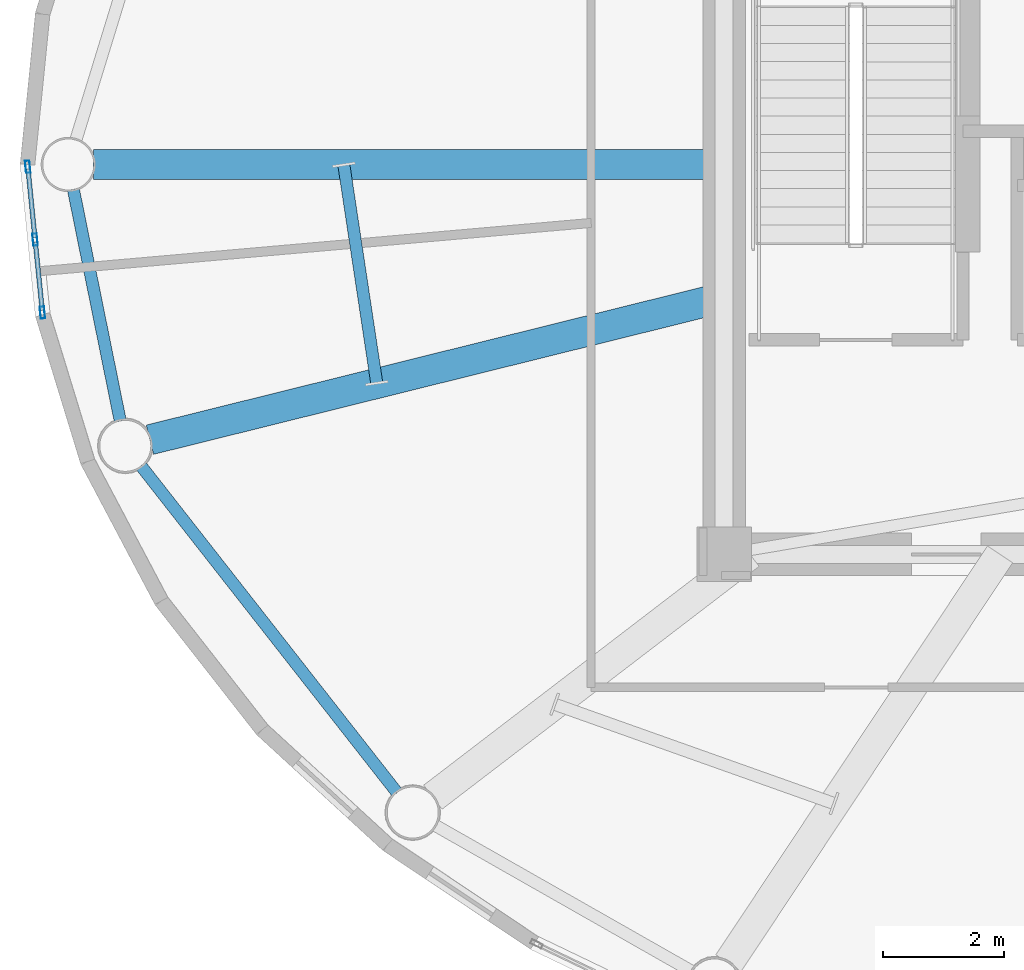
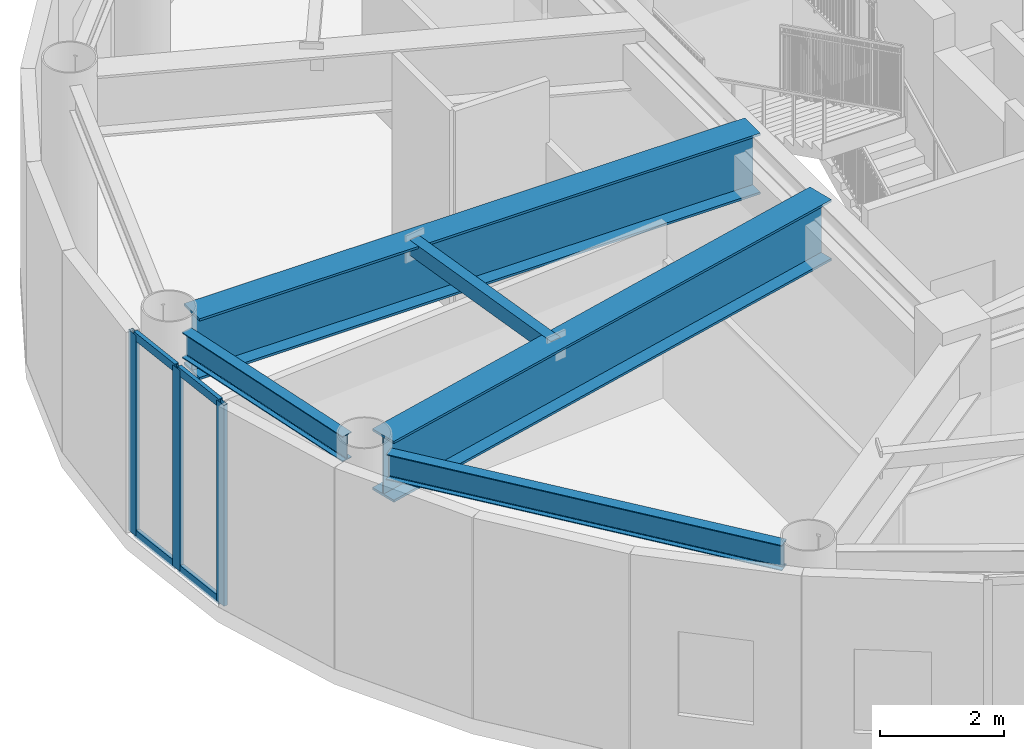
# One storey, part 4 of 26: 7 members, 5 beams, 1 element without a shape of its own.
"""IFC4 building model written with IfcOpenShell, lengths in metres."""

from ifc_helpers import new_model, si_unit, direction, frame, origin, origin_2d, place, context, subcontext, project, spatial, hollow_rectangle, i_section, extrude, source, transform, mapped, material, layer, layer_set, material_profile, profile_set, type_object, element, aggregate, save


model = new_model("IFC4")

# Units and contexts
model_context = context("Model", 3, precision=1e-05, world=origin(), true_north=direction((0.0, 1.0)))
body_context = subcontext(model_context, "Body", "Model", "MODEL_VIEW")
ifc_project = project(units=[si_unit("LENGTHUNIT", "METRE"), si_unit("AREAUNIT", "SQUARE_METRE"), si_unit("VOLUMEUNIT", "CUBIC_METRE"), si_unit("PLANEANGLEUNIT", "RADIAN"), si_unit("MASSUNIT", "GRAM", prefix="KILO")], contexts=[model_context])

# Site, building, storey
site_placement = place(None, origin())
site = spatial("IfcSite", under=ifc_project, at=site_placement, CompositionType="ELEMENT")
building_placement = place(site_placement, origin())
building = spatial("IfcBuilding", under=site, at=building_placement, Name="Linh Dai School and Residence Tower", CompositionType="ELEMENT")
storey_placement = place(building_placement, frame((0.0, 0.0, 351.0)))
storey = spatial("IfcBuildingStorey", under=building, at=storey_placement, Name="L87", CompositionType="ELEMENT", Elevation=351.0)

# Beams
ifc_material_1 = material(Name="Structural Steel S355JR", Category="steel")
ifc_material_profile_1 = material_profile(ifc_material_1, hollow_rectangle(XDim=0.199951171875, YDim=0.300048828125, WallThickness=0.010009765625, at=origin_2d()), Name="RHS 300x200x10")
ifc_profile_set_1 = profile_set([ifc_material_profile_1], Name="Structural Steel S355JR")
beam_type_1 = type_object("IfcBeamType", Name="BM-BX3", PredefinedType="BEAM", material=ifc_profile_set_1)
beam_1_placement = place(storey_placement, frame((20.857666015625, 26.9951171875, 3.800048828125), z_axis=(0.149229268392, -0.988802622092, 0.0), x_axis=(0.988802622092, 0.149229268392, 0.0)))
element("IfcBeam", 1, at=beam_1_placement, inside=storey, type_object=beam_type_1, Name="L87 Secondary Circumferential Floor Beam 05", PredefinedType="BEAM", context=body_context, shape_type="SweptSolid", body=[
    extrude(hollow_rectangle(XDim=0.199951171875, YDim=0.300048828125, WallThickness=0.010009765625, at=origin_2d()), origin(), (0.0, 0.0, 1.0), 3.6533203125),
])
ifc_material_profile_2 = material_profile(ifc_material_1, i_section(OverallWidth=0.199951171875, OverallDepth=0.5, WebThickness=0.01025390625, FlangeThickness=0.01611328125, FilletRadius=0.02099609375, at=origin_2d()), Name="IPE 500")
ifc_profile_set_2 = profile_set([ifc_material_profile_2], Name="Structural Steel S355JR")
beam_type_2 = type_object("IfcBeamType", Name="BM-RB50", PredefinedType="BEAM", material=ifc_profile_set_2)
beam_2_placement = place(storey_placement, frame((16.38330078125, 26.58837890625, 3.699951171875), z_axis=(0.198409502721, -0.980119211744, 0.0), x_axis=(0.980119211744, 0.198409502721, 0.0)))
element("IfcBeam", 2, at=beam_2_placement, inside=storey, type_object=beam_type_2, Name="L87 Perimeter Elliptical Ring Beam 09", PredefinedType="BEAM", context=body_context, shape_type="SweptSolid", body=[
    extrude(i_section(OverallWidth=0.199951171875, OverallDepth=0.5, WebThickness=0.01025390625, FlangeThickness=0.01611328125, FilletRadius=0.02099609375, at=origin_2d()), origin(), (0.0, 0.0, 1.0), 3.9091796875),
])
beam_3_placement = place(storey_placement, frame((17.501220703125, 22.0146484375, 3.699951171875), z_axis=(0.616844770958, -0.787084829318, 0.0), x_axis=(0.787084829318, 0.616844770958, 0.0)))
element("IfcBeam", 3, at=beam_3_placement, inside=storey, type_object=beam_type_2, Name="L87 Perimeter Elliptical Ring Beam 10", PredefinedType="BEAM", context=body_context, shape_type="SweptSolid", body=[
    extrude(i_section(OverallWidth=0.199951171875, OverallDepth=0.5, WebThickness=0.01025390625, FlangeThickness=0.01611328125, FilletRadius=0.02099609375, at=origin_2d()), origin(), (0.0, 0.0, 1.0), 6.869384765625),
])
ifc_material_profile_3 = material_profile(ifc_material_1, i_section(OverallWidth=0.5, OverallDepth=1.199951171875, WebThickness=0.02392578125, FlangeThickness=0.044921875, at=origin_2d()), Name="PG 1200x500x24x45")
ifc_profile_set_3 = profile_set([ifc_material_profile_3], Name="Structural Steel S355JR")
beam_type_3 = type_object("IfcBeamType", Name="BM-TG12", PredefinedType="BEAM", material=ifc_profile_set_3)
beam_4_placement = place(storey_placement, frame((27.14990234375, 27.0, 3.35009765625), z_axis=(-1.0, 0.0, 0.0), x_axis=(0.0, -1.0, 0.0)))
element("IfcBeam", 4, at=beam_4_placement, inside=storey, type_object=beam_type_3, Name="L87 Primary Radial Floor Girder 09", PredefinedType="BEAM", context=body_context, shape_type="SweptSolid", body=[
    extrude(i_section(OverallWidth=0.5, OverallDepth=1.199951171875, WebThickness=0.02392578125, FlangeThickness=0.044921875, at=origin_2d()), origin(), (0.0, 0.0, 1.0), 10.429931640625),
])
beam_5_placement = place(storey_placement, frame((27.14990234375, 24.803955078125, 3.35009765625), z_axis=(-0.970563583495, -0.24084503398, 0.0), x_axis=(0.24084503398, -0.970563583495, 0.0)))
element("IfcBeam", 5, at=beam_5_placement, inside=storey, type_object=beam_type_3, Name="L87 Primary Radial Floor Girder 10", PredefinedType="BEAM", context=body_context, shape_type="SweptSolid", body=[
    extrude(i_section(OverallWidth=0.5, OverallDepth=1.199951171875, WebThickness=0.02392578125, FlangeThickness=0.044921875, at=origin_2d()), origin(), (0.0, 0.0, 1.0), 9.7880859375),
])

# Curtain wall, members
ifc_material_2 = material(Name="Aluminium Anodised Curtain Wall", Category="aluminium")
ifc_layer = layer(ifc_material_2, 0.199951171875)
ifc_layer_set = layer_set([ifc_layer], Name="Aluminium Anodised Curtain Wall")
curtain_wall_type = type_object("IfcCurtainWallType", Name="CW-SYS-6", PredefinedType="USERDEFINED", material=ifc_layer_set)
curtain_wall_placement = place(storey_placement, origin())
curtain_wall = element("IfcCurtainWall", 6, at=curtain_wall_placement, inside=storey, type_object=curtain_wall_type, Name="L87 CW6 Curtain Wall 21", ObjectType="UNITISED CURTAIN WALL", PredefinedType="USERDEFINED")
ifc_material_3 = material(Name="Aluminium Alloy 6063-T6", Category="aluminium")
ifc_material_profile_4 = material_profile(ifc_material_3, hollow_rectangle(XDim=0.074951171875, YDim=0.159912109375, WallThickness=0.00390625, at=origin_2d()), Name="RHS 160x75x4")
ifc_profile_set_4 = profile_set([ifc_material_profile_4], Name="Aluminium Alloy 6063-T6")
member_type_1 = type_object("IfcMemberType", Name="CW-SYS-6-TRN", PredefinedType="USERDEFINED", material=ifc_profile_set_4)
shared_shape_1 = source(origin(), body_context, "Body", "SweptSolid", [
    extrude(hollow_rectangle(XDim=0.074951171875, YDim=0.159912109375, WallThickness=0.00390625, at=origin_2d()), origin(), (0.0, 0.0, 1.0), 1.136962890625),
])
member_1_placement = place(storey_placement, frame((15.867431640625, 24.587890625, 0.03759765625), z_axis=(-0.100056431161, 0.994981763945, 0.0), x_axis=(-0.994981763945, -0.100056431161, 0.0)))
member_1 = element("IfcMember", 7, at=member_1_placement, type_object=member_type_1, Name="CW6 transom 1.1", ObjectType="TRANSOM", PredefinedType="USERDEFINED", context=body_context, shape_type="MappedRepresentation", body=[
    mapped(shared_shape_1, transform((0.0, 0.0, 0.0), x_axis=(1.0, 0.0, 0.0), y_axis=(0.0, 1.0, 0.0), z_axis=(0.0, 0.0, 1.0), scale=1.0)),
])
member_2_placement = place(storey_placement, frame((15.867431640625, 24.587890625, 3.91259765625), z_axis=(-0.100056431161, 0.994981763945, 0.0), x_axis=(-0.994981763945, -0.100056431161, 0.0)))
member_2 = element("IfcMember", 8, at=member_2_placement, type_object=member_type_1, Name="CW6 transom 1.2", ObjectType="TRANSOM", PredefinedType="USERDEFINED", context=body_context, shape_type="MappedRepresentation", body=[
    mapped(shared_shape_1, transform((0.0, 0.0, 0.0), x_axis=(1.0, 0.0, 0.0), y_axis=(0.0, 1.0, 0.0), z_axis=(0.0, 0.0, 1.0), scale=1.0)),
])
member_3_placement = place(storey_placement, frame((15.74609375, 25.7939453125, 0.03759765625), z_axis=(-0.099843860502, 0.995003117342, 0.0), x_axis=(-0.995003117342, -0.099843860502, 0.0)))
member_3 = element("IfcMember", 9, at=member_3_placement, type_object=member_type_1, Name="CW6 transom 2.1", ObjectType="TRANSOM", PredefinedType="USERDEFINED", context=body_context, shape_type="MappedRepresentation", body=[
    mapped(shared_shape_1, transform((0.0, 0.0, 0.0), x_axis=(1.0, 0.0, 0.0), y_axis=(0.0, 1.0, 0.0), z_axis=(0.0, 0.0, 1.0), scale=1.0)),
])
member_4_placement = place(storey_placement, frame((15.74609375, 25.7939453125, 3.91259765625), z_axis=(-0.099843860502, 0.995003117342, 0.0), x_axis=(-0.995003117342, -0.099843860502, 0.0)))
member_4 = element("IfcMember", 10, at=member_4_placement, type_object=member_type_1, Name="CW6 transom 2.2", ObjectType="TRANSOM", PredefinedType="USERDEFINED", context=body_context, shape_type="MappedRepresentation", body=[
    mapped(shared_shape_1, transform((0.0, 0.0, 0.0), x_axis=(1.0, 0.0, 0.0), y_axis=(0.0, 1.0, 0.0), z_axis=(0.0, 0.0, 1.0), scale=1.0)),
])
ifc_material_profile_5 = material_profile(ifc_material_3, hollow_rectangle(XDim=0.074951171875, YDim=0.199951171875, WallThickness=0.00390625, at=origin_2d()), Name="RHS 200x75x4")
ifc_profile_set_5 = profile_set([ifc_material_profile_5], Name="Aluminium Alloy 6063-T6")
member_type_2 = type_object("IfcMemberType", Name="CW-SYS-6-MUL", PredefinedType="MULLION", material=ifc_profile_set_5)
shared_shape_2 = source(origin(), body_context, "Body", "SweptSolid", [
    extrude(hollow_rectangle(XDim=0.074951171875, YDim=0.199951171875, WallThickness=0.00390625, at=origin_2d()), origin(), (0.0, 0.0, 1.0), 3.949951171875),
])
member_5_placement = place(storey_placement, frame((15.87109375, 24.550537109375, 0.0), z_axis=(0.0, 0.0, 1.0), x_axis=(-0.994988264886, -0.099991763355, 0.0)))
member_5 = element("IfcMember", 11, at=member_5_placement, type_object=member_type_2, Name="CW6 mullion 1", PredefinedType="MULLION", context=body_context, shape_type="MappedRepresentation", body=[
    mapped(shared_shape_2, transform((0.0, 0.0, 0.0), x_axis=(1.0, 0.0, 0.0), y_axis=(0.0, 1.0, 0.0), z_axis=(0.0, 0.0, 1.0), scale=1.0)),
])
member_6_placement = place(storey_placement, frame((15.75, 25.756591796875, 0.0), z_axis=(0.0, 0.0, 1.0), x_axis=(-0.994988264886, -0.099991763355, 0.0)))
member_6 = element("IfcMember", 12, at=member_6_placement, type_object=member_type_2, Name="CW6 mullion 2", PredefinedType="MULLION", context=body_context, shape_type="MappedRepresentation", body=[
    mapped(shared_shape_2, transform((0.0, 0.0, 0.0), x_axis=(1.0, 0.0, 0.0), y_axis=(0.0, 1.0, 0.0), z_axis=(0.0, 0.0, 1.0), scale=1.0)),
])
member_7_placement = place(storey_placement, frame((15.628662109375, 26.962646484375, 0.0), z_axis=(0.0, 0.0, 1.0), x_axis=(-0.994988264886, -0.099991763355, 0.0)))
member_7 = element("IfcMember", 13, at=member_7_placement, type_object=member_type_2, Name="CW6 mullion 3", PredefinedType="MULLION", context=body_context, shape_type="MappedRepresentation", body=[
    mapped(shared_shape_2, transform((0.0, 0.0, 0.0), x_axis=(1.0, 0.0, 0.0), y_axis=(0.0, 1.0, 0.0), z_axis=(0.0, 0.0, 1.0), scale=1.0)),
])
aggregate(curtain_wall, [member_5, member_6, member_7, member_1, member_2, member_3, member_4])

save(model, "model.ifc")
